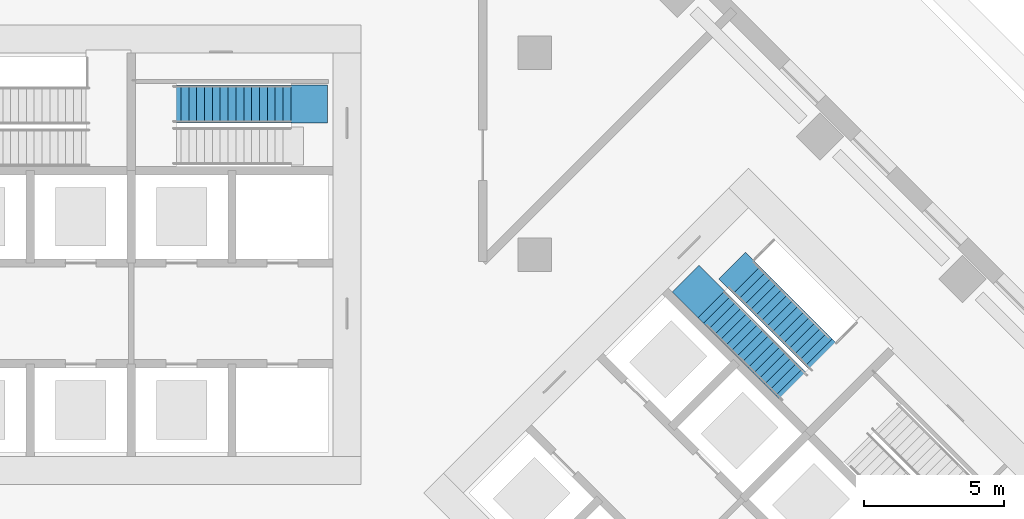
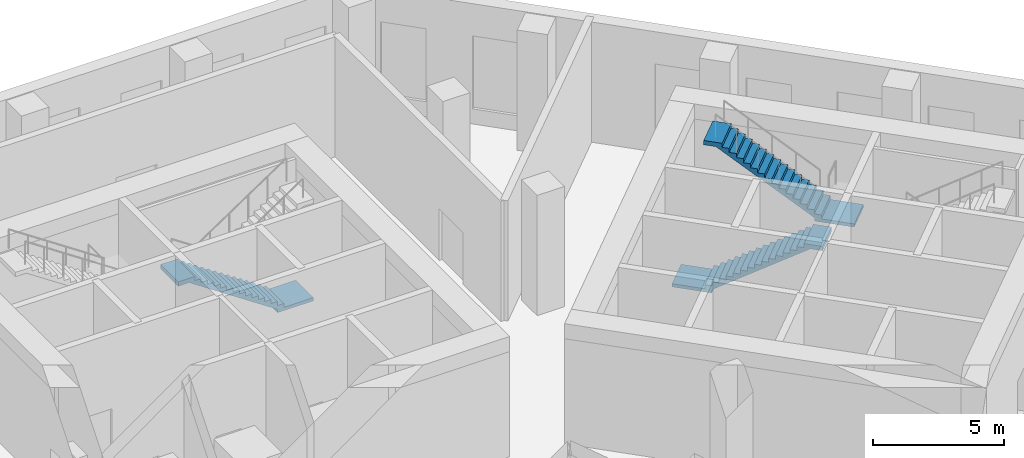
# One storey, part 10 of 15: 3 stair flights, 2 elements without a shape of their own.
"""IFC4 building model written with IfcOpenShell, lengths in metres."""

from ifc_helpers import new_model, si_unit, direction, frame, origin, place, context, subcontext, project, spatial, polyline, outline, extrude, material, type_object, element, aggregate, save


model = new_model("IFC4")

# Units and contexts
model_context = context("Model", 3, precision=1e-05, world=origin(), true_north=direction((0.0, 1.0)))
body_context = subcontext(model_context, "Body", "Model", "MODEL_VIEW")
ifc_project = project(units=[si_unit("LENGTHUNIT", "METRE"), si_unit("AREAUNIT", "SQUARE_METRE"), si_unit("VOLUMEUNIT", "CUBIC_METRE"), si_unit("PLANEANGLEUNIT", "RADIAN"), si_unit("MASSUNIT", "GRAM", prefix="KILO")], contexts=[model_context])

# Site, building, storey
site_placement = place(None, origin())
site = spatial("IfcSite", under=ifc_project, at=site_placement, CompositionType="ELEMENT")
building_placement = place(site_placement, origin())
building = spatial("IfcBuilding", under=site, at=building_placement, Name="Windrow Commons", CompositionType="ELEMENT")
storey_placement = place(building_placement, origin())
storey = spatial("IfcBuildingStorey", under=building, at=storey_placement, Name="L00", CompositionType="ELEMENT", Elevation=0.0)

# Stair, stair flight
ifc_material_1 = material(Name="Concrete C40/50", Category="concrete")
stair_type = type_object("IfcStairType", Name="Core stair", PredefinedType="HALF_TURN_STAIR", material=ifc_material_1)
placement = place(storey_placement, origin())
stair_1 = element("IfcStair", 1, at=placement, inside=storey, type_object=stair_type, Name="L00 Exit stair A2 core A", PredefinedType="HALF_TURN_STAIR")
ifc_material_2 = material(Name="Concrete C40/50", Category="concrete")
stair_flight_type = type_object("IfcStairFlightType", Name="Core stair flight", PredefinedType="STRAIGHT", material=ifc_material_2)
stair_flight_1_placement = place(storey_placement, frame((70.5, 62.98, 0.0), z_axis=(0.0, 0.0, 1.0), x_axis=(-1.0, 0.0, 0.0)))
stair_flight_1 = element("IfcStairFlight", 2, at=stair_flight_1_placement, type_object=stair_flight_type, Name="ST-A2 flight 1", NumberOfRisers=16, NumberOfTreads=15, PredefinedType="STRAIGHT", RiserHeight=0.1875, TreadLength=0.28, context=body_context, shape_type="SweptSolid", body=[
    extrude(outline(polyline([(-1.3, -0.15), (-1.3, 0.0), (0.0, 0.0), (0.0, 0.1875), (0.28, 0.1875), (0.28, 0.375), (0.56, 0.375), (0.56, 0.5625), (0.84, 0.5625), (0.84, 0.75), (1.12, 0.75), (1.12, 0.9375), (1.4, 0.9375), (1.4, 1.125), (1.68, 1.125), (1.68, 1.3125), (1.96, 1.3125), (1.96, 1.5), (2.24, 1.5), (2.24, 1.6875), (2.52, 1.6875), (2.52, 1.875), (2.8, 1.875), (2.8, 2.0625), (3.08, 2.0625), (3.08, 2.25), (3.36, 2.25), (3.36, 2.4375), (3.64, 2.4375), (3.64, 2.625), (3.92, 2.625), (3.92, 2.8125), (4.2, 2.8125), (4.65, 2.8125), (4.65, 2.6125), (4.2, 2.6125), (4.2, 2.632), (0.2696, 0.0), (0.2696, -0.15), (-1.3, -0.15)])), frame((0.0, 0.675, 0.0), z_axis=(0.0, -1.0, 0.0), x_axis=(1.0, 0.0, 0.0)), (0.0, 0.0, 1.0), 1.35),
])
aggregate(stair_1, [stair_flight_1])

# Stair, stair flights
stair_2 = element("IfcStair", 3, at=placement, inside=storey, type_object=stair_type, Name="L00 Exit stair B1 core B", PredefinedType="HALF_TURN_STAIR")
stair_flight_2_placement = place(storey_placement, frame((85.5109, 55.8249, 0.0), z_axis=(0.0, 0.0, 1.0), x_axis=(0.7071067812, -0.7071067812, 0.0)))
stair_flight_2 = element("IfcStairFlight", 4, at=stair_flight_2_placement, type_object=stair_flight_type, Name="ST-B1 flight 1", NumberOfRisers=16, NumberOfTreads=15, PredefinedType="STRAIGHT", RiserHeight=0.1875, TreadLength=0.28, context=body_context, shape_type="SweptSolid", body=[
    extrude(outline(polyline([(-1.3, -0.15), (-1.3, 0.0), (0.0, 0.0), (0.0, 0.1875), (0.28, 0.1875), (0.28, 0.375), (0.56, 0.375), (0.56, 0.5625), (0.84, 0.5625), (0.84, 0.75), (1.12, 0.75), (1.12, 0.9375), (1.4, 0.9375), (1.4, 1.125), (1.68, 1.125), (1.68, 1.3125), (1.96, 1.3125), (1.96, 1.5), (2.24, 1.5), (2.24, 1.6875), (2.52, 1.6875), (2.52, 1.875), (2.8, 1.875), (2.8, 2.0625), (3.08, 2.0625), (3.08, 2.25), (3.36, 2.25), (3.36, 2.4375), (3.64, 2.4375), (3.64, 2.625), (3.92, 2.625), (3.92, 2.8125), (4.2, 2.8125), (4.65, 2.8125), (4.65, 2.6125), (4.2, 2.6125), (4.2, 2.632), (0.2696, 0.0), (0.2696, -0.15), (-1.3, -0.15)])), frame((0.0, 0.675, 0.0), z_axis=(0.0, -1.0, 0.0), x_axis=(1.0, 0.0, 0.0)), (0.0, 0.0, 1.0), 1.35),
])
stair_flight_3_placement = place(storey_placement, frame((89.5414, 53.9157, 3.0), z_axis=(0.0, 0.0, 1.0), x_axis=(-0.7071067812, 0.7071067812, 0.0)))
stair_flight_3 = element("IfcStairFlight", 5, at=stair_flight_3_placement, type_object=stair_flight_type, Name="ST-B1 flight 2", NumberOfRisers=16, NumberOfTreads=15, PredefinedType="STRAIGHT", RiserHeight=0.1875, TreadLength=0.28, context=body_context, shape_type="SweptSolid", body=[
    extrude(outline(polyline([(-1.3, -0.15), (-1.3, 0.0), (0.0, 0.0), (0.0, 0.1875), (0.28, 0.1875), (0.28, 0.375), (0.56, 0.375), (0.56, 0.5625), (0.84, 0.5625), (0.84, 0.75), (1.12, 0.75), (1.12, 0.9375), (1.4, 0.9375), (1.4, 1.125), (1.68, 1.125), (1.68, 1.3125), (1.96, 1.3125), (1.96, 1.5), (2.24, 1.5), (2.24, 1.6875), (2.52, 1.6875), (2.52, 1.875), (2.8, 1.875), (2.8, 2.0625), (3.08, 2.0625), (3.08, 2.25), (3.36, 2.25), (3.36, 2.4375), (3.64, 2.4375), (3.64, 2.625), (3.92, 2.625), (3.92, 2.8125), (4.2, 2.8125), (4.65, 2.8125), (4.65, 2.6125), (4.2, 2.6125), (4.2, 2.632), (0.2696, 0.0), (0.2696, -0.15), (-1.3, -0.15)])), frame((0.0, 0.675, 0.0), z_axis=(0.0, -1.0, 0.0), x_axis=(1.0, 0.0, 0.0)), (0.0, 0.0, 1.0), 1.35),
])
aggregate(stair_2, [stair_flight_2, stair_flight_3])

save(model, "model.ifc")
